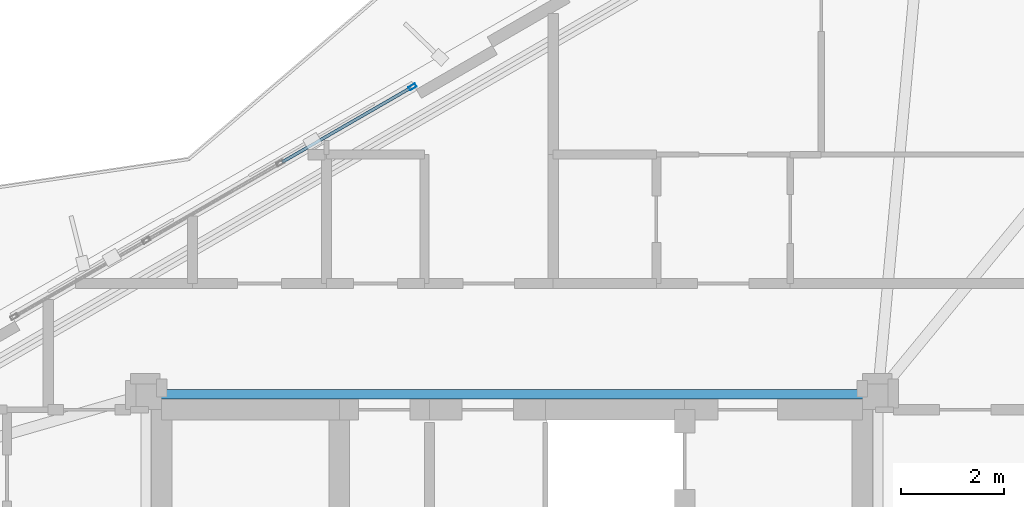
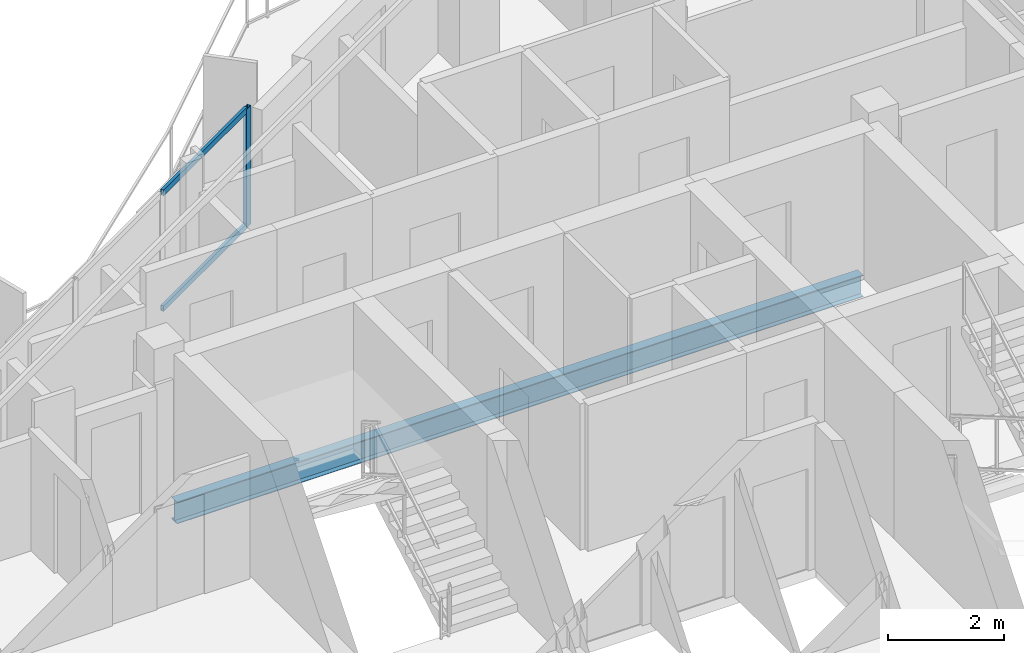
# One storey, part 14 of 22: 3 members, 1 beam, 1 element without a shape of its own.
"""IFC4 building model written with IfcOpenShell, lengths in metres."""

import ifcopenshell
import ifcopenshell.guid

model = None  # the IFC model being written
_history = None  # IfcOwnerHistory: only IFC2X3 demands one
_inside = {}  # id of a spatial element -> (the spatial element, [elements in it])
_under = {}  # id of a project, library or spatial element -> (it, [spatial elements below it])
_declared = {}  # id of a project -> (the project, [libraries it declares])
_typed = {}  # id of a type object -> (the type object, [elements of that type])
_made_of = {}  # id of a material, layer set ... -> (it, [elements and type objects made of it])


def new_model(schema):
    """Start an empty IFC model of exactly this schema.

    Asked for "IFC4X3", IfcOpenShell would pick the latest addendum, in which some entities
    have other attributes; the version numbers below select the first issue.
    IFC2X3 requires an IfcOwnerHistory on every rooted entity: one is made here for all.
    """
    global model, _history
    if schema == "IFC4X3":
        model = ifcopenshell.file(schema_version=(4, 3, 0, 0))
    else:
        model = ifcopenshell.file(schema=schema)
    _inside.clear()
    _under.clear()
    _declared.clear()
    _typed.clear()
    _made_of.clear()
    _history = None
    if model.schema == "IFC2X3":
        org = make("IfcOrganization", Name="unknown")
        user = make(
            "IfcPersonAndOrganization",
            ThePerson=make("IfcPerson", FamilyName="unknown"),
            TheOrganization=org,
        )
        app = make(
            "IfcApplication",
            ApplicationDeveloper=org,
            Version="unknown",
            ApplicationFullName="unknown",
            ApplicationIdentifier="unknown",
        )
        _history = make(
            "IfcOwnerHistory",
            OwningUser=user,
            OwningApplication=app,
            ChangeAction="ADDED",
            CreationDate=0,
        )
    return model


def make(cls, **values):
    """One entity of the class cls with the attributes given. An attribute that is None is left unset."""
    return model.create_entity(
        cls, **{name: value for name, value in values.items() if value is not None}
    )


def rooted(cls, **values):
    """An entity with a GlobalId (a new one), such as an element, a storey or a relation."""
    return make(cls, GlobalId=ifcopenshell.guid.new(), OwnerHistory=_history, **values)


def si_unit(unit_type, name, prefix=None):
    """IfcSIUnit, for example si_unit("LENGTHUNIT", "METRE", prefix="MILLI")."""
    return make("IfcSIUnit", UnitType=unit_type, Prefix=prefix, Name=name)


def assignment(units):
    """IfcUnitAssignment: the units of a project."""
    return None if units is None else make("IfcUnitAssignment", Units=units)


def point(xyz):
    """IfcCartesianPoint."""
    return None if xyz is None else make("IfcCartesianPoint", Coordinates=xyz)


def direction(xyz):
    """IfcDirection."""
    return None if xyz is None else make("IfcDirection", DirectionRatios=xyz)


def frame(location, z_axis=None, x_axis=None):
    """IfcAxis2Placement3D, a coordinate frame: its origin and axes. An axis left out is left unset."""
    return make(
        "IfcAxis2Placement3D",
        Location=point(location),
        Axis=direction(z_axis),
        RefDirection=direction(x_axis),
    )


def frame_2d(location, x_axis=None):
    """IfcAxis2Placement2D, a coordinate frame in the plane: its origin and x axis."""
    return make(
        "IfcAxis2Placement2D", Location=point(location), RefDirection=direction(x_axis)
    )


def origin():
    """The frame at (0, 0, 0) with its axes left unset."""
    return frame((0.0, 0.0, 0.0))


def origin_2d():
    """The frame at (0, 0) in the plane with its x axis left unset."""
    return frame_2d((0.0, 0.0))


def place(relative_to, where):
    """IfcLocalPlacement: puts the frame where relative to a parent placement (None: the world)."""
    return make(
        "IfcLocalPlacement", PlacementRelTo=relative_to, RelativePlacement=where
    )


def context(
    kind, dimensions, precision=None, world=None, true_north=None, identifier=None
):
    """IfcGeometricRepresentationContext, for example the 3D "Model" context."""
    return make(
        "IfcGeometricRepresentationContext",
        ContextIdentifier=identifier,
        ContextType=kind,
        CoordinateSpaceDimension=dimensions,
        Precision=precision,
        WorldCoordinateSystem=world,
        TrueNorth=true_north,
    )


def subcontext(parent, identifier, kind, view, scale=None):
    """IfcGeometricRepresentationSubContext, for example "Body" below "Model"."""
    return make(
        "IfcGeometricRepresentationSubContext",
        ContextIdentifier=identifier,
        ContextType=kind,
        ParentContext=parent,
        TargetScale=scale,
        TargetView=view,
    )


def project(units=None, contexts=None):
    """IfcProject with its units and contexts."""
    return rooted(
        "IfcProject",
        Name="project",
        RepresentationContexts=contexts,
        UnitsInContext=assignment(units),
    )


def spatial(cls, under=None, at=None, **own):
    """A site, building, storey or space (cls), placed at a placement, below another one or the project."""
    s = rooted(cls, ObjectPlacement=at, **own)
    if under is not None:
        _under.setdefault(under.id(), (under, []))[1].append(s)
    return s


def profile(cls, at=None, kind="AREA", **sizes):
    """A parametric profile (cls). Its sizes go by their IFC names, for example OverallWidth=200.0."""
    return make(cls, ProfileType=kind, Position=at, **sizes)


def hollow_rectangle(**sizes):
    """IfcRectangleHollowProfileDef."""
    return profile("IfcRectangleHollowProfileDef", **sizes)


def i_section(**sizes):
    """IfcIShapeProfileDef."""
    return profile("IfcIShapeProfileDef", **sizes)


def extrude(swept, where, along, depth):
    """IfcExtrudedAreaSolid: the profile swept, set in the frame where, extruded along a direction by depth."""
    return make(
        "IfcExtrudedAreaSolid",
        SweptArea=swept,
        Position=where,
        ExtrudedDirection=direction(along),
        Depth=depth,
    )


def shape(context_of_items, identifier, shape_type, items):
    """IfcShapeRepresentation: the items that make up one representation, for example the "Body"."""
    return make(
        "IfcShapeRepresentation",
        ContextOfItems=context_of_items,
        RepresentationIdentifier=identifier,
        RepresentationType=shape_type,
        Items=items,
    )


def material(Name=None, Category=None):
    """IfcMaterial."""
    return make("IfcMaterial", Name=Name, Category=Category)


def layer(
    of_material, thickness, ventilated=None, Name=None, Category=None, Priority=None
):
    """IfcMaterialLayer: one layer of a wall or slab, of a material (None: an air gap)."""
    return make(
        "IfcMaterialLayer",
        Material=of_material,
        LayerThickness=thickness,
        IsVentilated=ventilated,
        Name=Name,
        Category=Category,
        Priority=Priority,
    )


def layer_set(layers, Name=None):
    """IfcMaterialLayerSet."""
    return make("IfcMaterialLayerSet", MaterialLayers=layers, LayerSetName=Name)


def material_profile(
    of_material, cross_section, Name=None, Category=None, Priority=None
):
    """IfcMaterialProfile: a cross section and its material."""
    return make(
        "IfcMaterialProfile",
        Name=Name,
        Material=of_material,
        Profile=cross_section,
        Priority=Priority,
        Category=Category,
    )


def profile_set(profiles, Name=None, composite=None):
    """IfcMaterialProfileSet."""
    return make(
        "IfcMaterialProfileSet",
        Name=Name,
        MaterialProfiles=profiles,
        CompositeProfile=composite,
    )


def made_of(thing, what):
    """Note that an element or type object is made of a material, layer set ...; save() writes the relation."""
    if what is not None:
        _made_of.setdefault(what.id(), (what, []))[1].append(thing)
    return thing


def type_object(cls, material=None, **own):
    """A type object (cls), such as IfcWallType, which elements share."""
    return made_of(rooted(cls, **own), material)


def element(
    cls,
    number,
    at=None,
    inside=None,
    cuts=None,
    type_object=None,
    material=None,
    context=None,
    identifier="Body",
    shape_type=None,
    held_by="IfcProductDefinitionShape",
    body=None,
    shapes=None,
    **own,
):
    """One element of the class cls, such as IfcWall. Its Tag is "e" and its number.

    at: its placement. inside: the storey or other place that contains it. cuts: it is an
    opening in that element (IfcRelVoidsElement). A single representation is given by context,
    identifier, shape_type and body (its items); several are given by shapes. held_by: the class
    of the entity that holds the representations. save() writes the other relations.
    """
    e = rooted(cls, Tag="e%d" % number, ObjectPlacement=at, **own)
    if body is not None:
        shapes = [shape(context, identifier, shape_type, body)]
    if shapes is not None:
        e.Representation = make(held_by, Representations=shapes)
    if inside is not None:
        _inside.setdefault(inside.id(), (inside, []))[1].append(e)
    if cuts is not None:
        rooted(
            "IfcRelVoidsElement", RelatingBuildingElement=cuts, RelatedOpeningElement=e
        )
    if type_object is not None:
        _typed.setdefault(type_object.id(), (type_object, []))[1].append(e)
    return made_of(e, material)


def aggregate(whole, parts):
    """IfcRelAggregates: a whole, such as a stair, and the parts it consists of."""
    return rooted("IfcRelAggregates", RelatingObject=whole, RelatedObjects=parts)


def save(model, path):
    """Write the relations noted so far, then the file.

    IfcRelAggregates (storeys below a building ...), IfcRelContainedInSpatialStructure (elements
    in a storey), IfcRelDefinesByType, IfcRelAssociatesMaterial and IfcRelDeclares: one each for
    every whole, place, type object, material and project.
    """
    for whole, parts in _under.values():
        aggregate(whole, parts)
    for where, things in _inside.values():
        rooted(
            "IfcRelContainedInSpatialStructure",
            RelatedElements=things,
            RelatingStructure=where,
        )
    for kind, things in _typed.values():
        rooted("IfcRelDefinesByType", RelatedObjects=things, RelatingType=kind)
    for what, things in _made_of.values():
        rooted("IfcRelAssociatesMaterial", RelatedObjects=things, RelatingMaterial=what)
    for by, libraries in _declared.values():
        rooted("IfcRelDeclares", RelatingContext=by, RelatedDefinitions=libraries)
    model.write(path)


model = new_model("IFC4")

# Units and contexts
model_context = context("Model", 3, precision=1e-05, world=origin(), true_north=direction((0.0, 1.0)))
body_context = subcontext(model_context, "Body", "Model", "MODEL_VIEW")
ifc_project = project(units=[si_unit("LENGTHUNIT", "METRE"), si_unit("AREAUNIT", "SQUARE_METRE"), si_unit("VOLUMEUNIT", "CUBIC_METRE"), si_unit("PLANEANGLEUNIT", "RADIAN"), si_unit("MASSUNIT", "GRAM", prefix="KILO")], contexts=[model_context])

# Site, building, storey
site_placement = place(None, origin())
site = spatial("IfcSite", under=ifc_project, at=site_placement, CompositionType="ELEMENT")
building_placement = place(site_placement, origin())
building = spatial("IfcBuilding", under=site, at=building_placement, Name="Mersakhor Tower and Convention Hall", CompositionType="ELEMENT")
storey_placement = place(building_placement, frame((0.0, 0.0, 195.300048828125)))
storey = spatial("IfcBuildingStorey", under=building, at=storey_placement, Name="L54", CompositionType="ELEMENT", Elevation=195.300048828125)

# Beam
ifc_material_1 = material(Name="Steel S355", Category="steel")
ifc_material_profile_1 = material_profile(ifc_material_1, i_section(OverallWidth=0.19140625, OverallDepth=0.4599609375, WebThickness=0.010009765625, FlangeThickness=0.01611328125, at=origin_2d()), Name="UB 457x191x82")
ifc_profile_set_1 = profile_set([ifc_material_profile_1], Name="Steel S355")
beam_type = type_object("IfcBeamType", Name="BM-FB-457", PredefinedType="BEAM", material=ifc_profile_set_1)
beam_placement = place(storey_placement, frame((22.179931640625, 33.050048828125, -0.4599609375), z_axis=(1.0, 0.0, 0.0), x_axis=(0.0, 1.0, 0.0)))
element("IfcBeam", 1, at=beam_placement, inside=storey, type_object=beam_type, Name="L54 Core Ring Tie Beam CRB-2", PredefinedType="BEAM", context=body_context, shape_type="SweptSolid", body=[
    extrude(i_section(OverallWidth=0.19140625, OverallDepth=0.4599609375, WebThickness=0.010009765625, FlangeThickness=0.01611328125, at=origin_2d()), origin(), (0.0, 0.0, 1.0), 13.64013671875),
])

# Curtain wall, members
ifc_material_2 = material(Name="Dark solar low-E aluminium curtain wall", Category="aluminium")
ifc_layer = layer(ifc_material_2, 0.169921875)
ifc_layer_set = layer_set([ifc_layer], Name="Dark solar low-E aluminium curtain wall")
curtain_wall_type = type_object("IfcCurtainWallType", Name="CW-SYS-02", PredefinedType="USERDEFINED", material=ifc_layer_set)
curtain_wall_placement = place(storey_placement, origin())
curtain_wall = element("IfcCurtainWall", 2, at=curtain_wall_placement, inside=storey, type_object=curtain_wall_type, Name="L54 Dark-Glass Curtain Wall F1-B2", ObjectType="CURTAIN WALL", PredefinedType="USERDEFINED")
ifc_material_3 = material(Name="Anodised aluminium EN AW-6063 T6", Category="aluminium")
ifc_material_profile_2 = material_profile(ifc_material_3, hollow_rectangle(XDim=0.074951171875, YDim=0.14990234375, WallThickness=0.00634765625, at=origin_2d()), Name="RHS 150x75x6.3")
ifc_profile_set_2 = profile_set([ifc_material_profile_2], Name="Anodised aluminium EN AW-6063 T6")
member_type_1 = type_object("IfcMemberType", Name="CWM-150x75", PredefinedType="MULLION", material=ifc_profile_set_2)
member_1_placement = place(storey_placement, frame((27.06982421875, 39.016845703125, 0.199951171875), z_axis=(0.0, 0.0, 1.0), x_axis=(-0.500007824483, 0.86602088627, 0.0)))
member_1 = element("IfcMember", 3, at=member_1_placement, type_object=member_type_1, Name="CW-02 mullion 4", PredefinedType="MULLION", context=body_context, shape_type="SweptSolid", body=[
    extrude(hollow_rectangle(XDim=0.074951171875, YDim=0.14990234375, WallThickness=0.00634765625, at=origin_2d()), origin(), (0.0, 0.0, 1.0), 2.489990234375),
])
ifc_material_4 = material(Name="Anodised aluminium EN AW-6063 T6", Category="aluminium")
ifc_material_profile_3 = material_profile(ifc_material_4, hollow_rectangle(XDim=0.06005859375, YDim=0.1201171875, WallThickness=0.0048828125, at=origin_2d()), Name="RHS 120x60x5")
ifc_profile_set_3 = profile_set([ifc_material_profile_3], Name="Anodised aluminium EN AW-6063 T6")
member_type_2 = type_object("IfcMemberType", Name="CWT-120x60", PredefinedType="USERDEFINED", material=ifc_profile_set_3)
member_2_placement = place(storey_placement, frame((24.537109375, 37.554443359375, 0.22998046875), z_axis=(0.86601237176, 0.50002257145, 0.0), x_axis=(-0.50002257145, 0.86601237176, 0.0)))
member_2 = element("IfcMember", 4, at=member_2_placement, type_object=member_type_2, Name="CW-02 transom 3.1", ObjectType="TRANSOM", PredefinedType="USERDEFINED", context=body_context, shape_type="SweptSolid", body=[
    extrude(hollow_rectangle(XDim=0.06005859375, YDim=0.1201171875, WallThickness=0.0048828125, at=origin_2d()), origin(), (0.0, 0.0, 1.0), 2.886962890625),
])
member_3_placement = place(storey_placement, frame((24.537109375, 37.554443359375, 2.659912109375), z_axis=(0.86601237176, 0.50002257145, 0.0), x_axis=(-0.50002257145, 0.86601237176, 0.0)))
member_3 = element("IfcMember", 5, at=member_3_placement, type_object=member_type_2, Name="CW-02 transom 3.2", ObjectType="TRANSOM", PredefinedType="USERDEFINED", context=body_context, shape_type="SweptSolid", body=[
    extrude(hollow_rectangle(XDim=0.06005859375, YDim=0.1201171875, WallThickness=0.0048828125, at=origin_2d()), origin(), (0.0, 0.0, 1.0), 2.886962890625),
])
aggregate(curtain_wall, [member_1, member_2, member_3])

save(model, "model.ifc")
